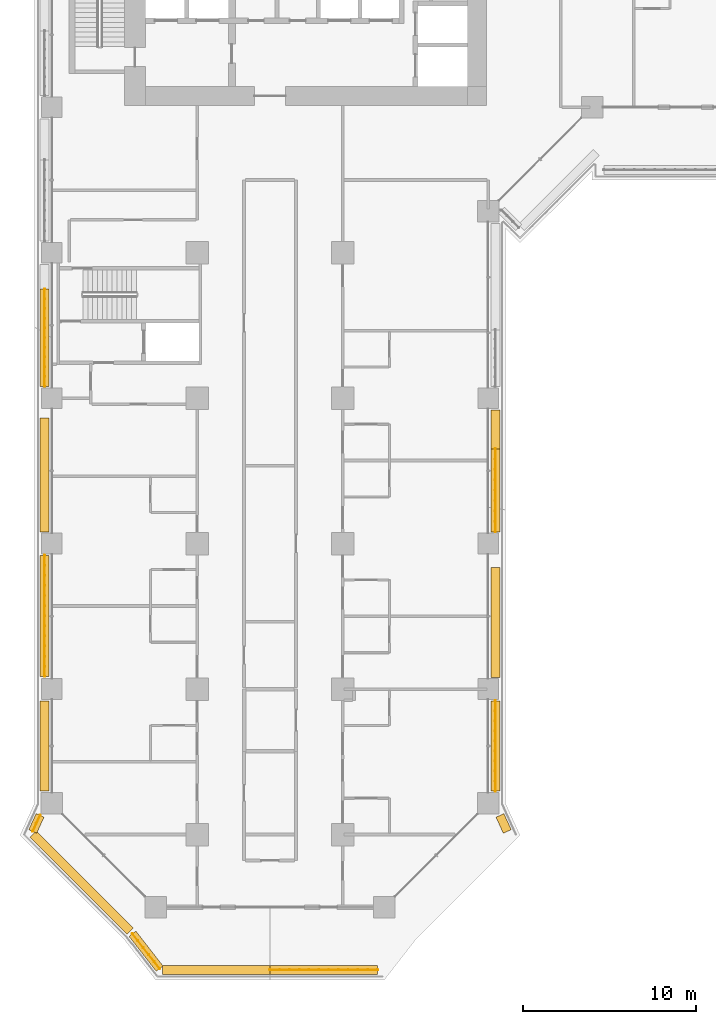
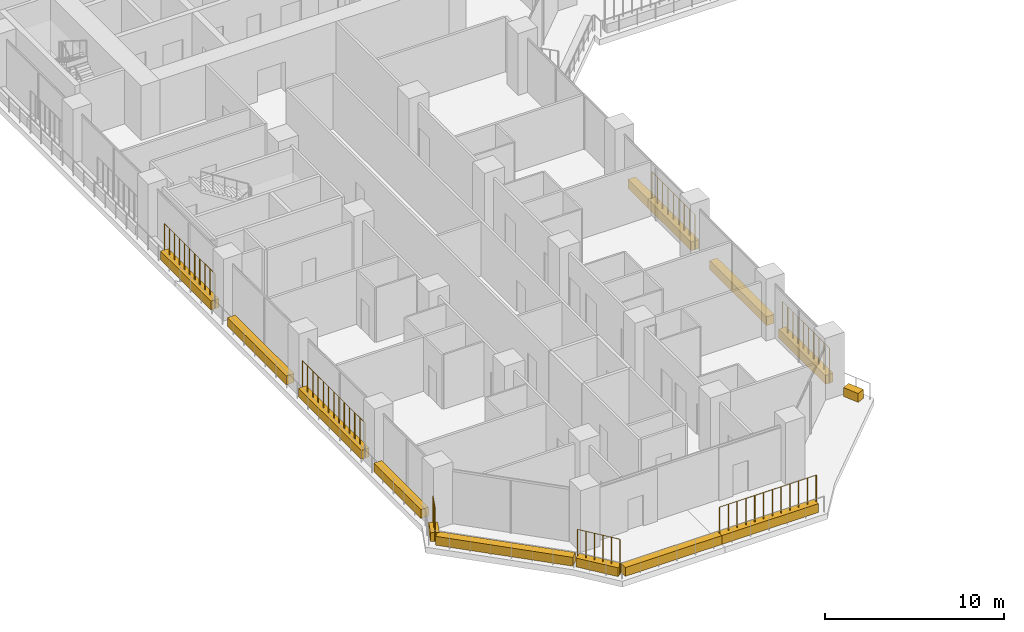
# One storey, part 21 of 28: 14 coverings, 7 railings.
"""IFC4 building model written with IfcOpenShell, lengths in metres."""

from ifc_helpers import new_model, si_unit, direction, frame, origin, origin_2d, place, context, subcontext, project, spatial, rectangle, circle, extrude, material, material_profile, profile_set, type_object, element, save


model = new_model("IFC4")

# Units and contexts
model_context = context("Model", 3, precision=1e-05, world=origin(), true_north=direction((0.0, 1.0)))
body_context = subcontext(model_context, "Body", "Model", "MODEL_VIEW")
ifc_project = project(units=[si_unit("LENGTHUNIT", "METRE"), si_unit("AREAUNIT", "SQUARE_METRE"), si_unit("VOLUMEUNIT", "CUBIC_METRE"), si_unit("PLANEANGLEUNIT", "RADIAN"), si_unit("MASSUNIT", "GRAM", prefix="KILO")], contexts=[model_context])

# Site, building, storey
site_placement = place(None, origin())
site = spatial("IfcSite", under=ifc_project, at=site_placement, CompositionType="ELEMENT")
building_placement = place(site_placement, origin())
building = spatial("IfcBuilding", under=site, at=building_placement, Name="Kawkab Arch Medical Tower", CompositionType="ELEMENT")
storey_placement = place(building_placement, frame((0.0, 0.0, 89.60009765625)))
storey = spatial("IfcBuildingStorey", under=building, at=storey_placement, Name="L20", CompositionType="ELEMENT", Elevation=89.60009765625)

# Coverings
ifc_material_1 = material(Name="Planting soil in a precast trough", Category="concrete")
ifc_material_profile = material_profile(ifc_material_1, rectangle(XDim=0.5, YDim=0.60009765625, at=origin_2d()), Name="Trough 500x600")
ifc_profile_set = profile_set([ifc_material_profile], Name="Planting soil in a precast trough")
covering_type = type_object("IfcCoveringType", Name="Planter trough 500 x 600", PredefinedType="USERDEFINED", material=ifc_profile_set)
covering_1_placement = place(storey_placement, frame((18.81591796875, -75.02001953125, 0.2998046875), z_axis=(-1.0, 0.0, 0.0), x_axis=(0.0, -1.0, 0.0)))
element("IfcCovering", 1, at=covering_1_placement, inside=storey, type_object=covering_type, Name="Planter L20.LOG-01-01.1", ObjectType="PLANTER", PredefinedType="USERDEFINED", context=body_context, shape_type="SweptSolid", body=[
    extrude(rectangle(XDim=0.5, YDim=0.60009765625, at=origin_2d()), origin(), (0.0, 0.0, 1.0), 6.2158203125),
])
covering_2_placement = place(storey_placement, frame((12.60009765625, -75.02001953125, 0.2998046875), z_axis=(-1.0, 0.0, 0.0), x_axis=(0.0, -1.0, 0.0)))
element("IfcCovering", 2, at=covering_2_placement, inside=storey, type_object=covering_type, Name="Planter L20.LOG-01-01.2", ObjectType="PLANTER", PredefinedType="USERDEFINED", context=body_context, shape_type="SweptSolid", body=[
    extrude(rectangle(XDim=0.5, YDim=0.60009765625, at=origin_2d()), origin(), (0.0, 0.0, 1.0), 6.216064453125),
])
covering_3_placement = place(storey_placement, frame((6.221923828125, -74.94091796875, 0.2998046875), z_axis=(-0.61404021143, 0.789274742246, 0.0), x_axis=(-0.789274742246, -0.61404021143, 0.0)))
element("IfcCovering", 3, at=covering_3_placement, inside=storey, type_object=covering_type, Name="Planter L20.LOG-01-01.3", ObjectType="PLANTER", PredefinedType="USERDEFINED", context=body_context, shape_type="SweptSolid", body=[
    extrude(rectangle(XDim=0.5, YDim=0.60009765625, at=origin_2d()), origin(), (0.0, 0.0, 1.0), 2.54541015625),
])
covering_4_placement = place(storey_placement, frame((4.527099609375, -72.782958984375, 0.2998046875), z_axis=(-0.70712219479, 0.707091367247, 0.0), x_axis=(-0.707091367247, -0.70712219479, 0.0)))
element("IfcCovering", 4, at=covering_4_placement, inside=storey, type_object=covering_type, Name="Planter L20.LOG-01-01.4", ObjectType="PLANTER", PredefinedType="USERDEFINED", context=body_context, shape_type="SweptSolid", body=[
    extrude(rectangle(XDim=0.5, YDim=0.60009765625, at=origin_2d()), origin(), (0.0, 0.0, 1.0), 7.919677734375),
])
covering_5_placement = place(storey_placement, frame((-1.10205078125, -67.02099609375, 0.2998046875), z_axis=(0.415071571878, 0.909788761317, 0.0), x_axis=(-0.909788761317, 0.415071571878, 0.0)))
element("IfcCovering", 5, at=covering_5_placement, inside=storey, type_object=covering_type, Name="Planter L20.LOG-01-01.5", ObjectType="PLANTER", PredefinedType="USERDEFINED", context=body_context, shape_type="SweptSolid", body=[
    extrude(rectangle(XDim=0.5, YDim=0.60009765625, at=origin_2d()), origin(), (0.0, 0.0, 1.0), 1.0146484375),
])
covering_6_placement = place(storey_placement, frame((-0.419921875, -64.695068359375, 0.2998046875), z_axis=(0.0, 1.0, 0.0), x_axis=(-1.0, 0.0, 0.0)))
element("IfcCovering", 6, at=covering_6_placement, inside=storey, type_object=covering_type, Name="Planter L20.LOG-01-01.6", ObjectType="PLANTER", PredefinedType="USERDEFINED", context=body_context, shape_type="SweptSolid", body=[
    extrude(rectangle(XDim=0.5, YDim=0.60009765625, at=origin_2d()), origin(), (0.0, 0.0, 1.0), 5.215087890625),
])
covering_7_placement = place(storey_placement, frame((-0.419921875, -58.069091796875, 0.2998046875), z_axis=(0.0, 1.0, 0.0), x_axis=(-1.0, 0.0, 0.0)))
element("IfcCovering", 7, at=covering_7_placement, inside=storey, type_object=covering_type, Name="Planter L20.LOG-01-01.7", ObjectType="PLANTER", PredefinedType="USERDEFINED", context=body_context, shape_type="SweptSolid", body=[
    extrude(rectangle(XDim=0.5, YDim=0.60009765625, at=origin_2d()), origin(), (0.0, 0.0, 1.0), 6.989013671875),
])
covering_8_placement = place(storey_placement, frame((-0.419921875, -49.719970703125, 0.2998046875), z_axis=(0.0, 1.0, 0.0), x_axis=(-1.0, 0.0, 0.0)))
element("IfcCovering", 8, at=covering_8_placement, inside=storey, type_object=covering_type, Name="Planter L20.LOG-01-01.8", ObjectType="PLANTER", PredefinedType="USERDEFINED", context=body_context, shape_type="SweptSolid", body=[
    extrude(rectangle(XDim=0.5, YDim=0.60009765625, at=origin_2d()), origin(), (0.0, 0.0, 1.0), 6.56396484375),
])
covering_9_placement = place(storey_placement, frame((-0.419921875, -41.320068359375, 0.2998046875), z_axis=(0.0, 1.0, 0.0), x_axis=(-1.0, 0.0, 0.0)))
element("IfcCovering", 9, at=covering_9_placement, inside=storey, type_object=covering_type, Name="Planter L20.LOG-01-01.9", ObjectType="PLANTER", PredefinedType="USERDEFINED", context=body_context, shape_type="SweptSolid", body=[
    extrude(rectangle(XDim=0.5, YDim=0.60009765625, at=origin_2d()), origin(), (0.0, 0.0, 1.0), 5.6201171875),
])
covering_10_placement = place(storey_placement, frame((25.6201171875, -42.679931640625, 0.2998046875), z_axis=(0.0, -1.0, 0.0), x_axis=(1.0, 0.0, 0.0)))
element("IfcCovering", 10, at=covering_10_placement, inside=storey, type_object=covering_type, Name="Planter L20.LOG-01-01.46", ObjectType="PLANTER", PredefinedType="USERDEFINED", context=body_context, shape_type="SweptSolid", body=[
    extrude(rectangle(XDim=0.5, YDim=0.60009765625, at=origin_2d()), origin(), (0.0, 0.0, 1.0), 2.240966796875),
])
covering_11_placement = place(storey_placement, frame((25.6201171875, -44.9208984375, 0.2998046875), z_axis=(0.0, -1.0, 0.0), x_axis=(1.0, 0.0, 0.0)))
element("IfcCovering", 11, at=covering_11_placement, inside=storey, type_object=covering_type, Name="Planter L20.LOG-01-01.47", ObjectType="PLANTER", PredefinedType="USERDEFINED", context=body_context, shape_type="SweptSolid", body=[
    extrude(rectangle(XDim=0.5, YDim=0.60009765625, at=origin_2d()), origin(), (0.0, 0.0, 1.0), 4.799072265625),
])
covering_12_placement = place(storey_placement, frame((25.6201171875, -51.7890625, 0.2998046875), z_axis=(0.0, -1.0, 0.0), x_axis=(1.0, 0.0, 0.0)))
element("IfcCovering", 12, at=covering_12_placement, inside=storey, type_object=covering_type, Name="Planter L20.LOG-01-01.48", ObjectType="PLANTER", PredefinedType="USERDEFINED", context=body_context, shape_type="SweptSolid", body=[
    extrude(rectangle(XDim=0.5, YDim=0.60009765625, at=origin_2d()), origin(), (0.0, 0.0, 1.0), 6.3310546875),
])
covering_13_placement = place(storey_placement, frame((25.6201171875, -59.47998046875, 0.2998046875), z_axis=(0.0, -1.0, 0.0), x_axis=(1.0, 0.0, 0.0)))
element("IfcCovering", 13, at=covering_13_placement, inside=storey, type_object=covering_type, Name="Planter L20.LOG-01-01.49", ObjectType="PLANTER", PredefinedType="USERDEFINED", context=body_context, shape_type="SweptSolid", body=[
    extrude(rectangle(XDim=0.5, YDim=0.60009765625, at=origin_2d()), origin(), (0.0, 0.0, 1.0), 5.215087890625),
])
covering_14_placement = place(storey_placement, frame((25.881103515625, -66.097900390625, 0.2998046875), z_axis=(0.414872376122, -0.909879613757, 0.0), x_axis=(0.909879613757, 0.414872376122, 0.0)))
element("IfcCovering", 14, at=covering_14_placement, inside=storey, type_object=covering_type, Name="Planter L20.LOG-01-01.50", ObjectType="PLANTER", PredefinedType="USERDEFINED", context=body_context, shape_type="SweptSolid", body=[
    extrude(rectangle(XDim=0.5, YDim=0.60009765625, at=origin_2d()), origin(), (0.0, 0.0, 1.0), 1.014404296875),
])

# Railings
ifc_material_2 = material(Name="Bronze anodised aluminium trellis for climbing plants", Category="aluminium")
railing_type = type_object("IfcRailingType", Name="Planting trellis 2400", PredefinedType="USERDEFINED", material=ifc_material_2)
railing_1_placement = place(storey_placement, frame((18.81591796875, -75.02001953125, 0.0)))
element("IfcRailing", 15, at=railing_1_placement, inside=storey, type_object=railing_type, Name="Planting trellis L20.LOG-01-01.1", ObjectType="TRELLIS", PredefinedType="USERDEFINED", context=body_context, shape_type="SweptSolid", body=[
    extrude(circle(Radius=0.01513671875, at=origin_2d()), frame((0.0, 0.0, 2.384765625), z_axis=(-1.0, 0.0, 0.0), x_axis=(0.0, -1.0, 0.0)), (0.0, 0.0, 1.0), 6.2158203125),
    extrude(circle(Radius=0.030029296875, at=origin_2d()), origin(), (0.0, 0.0, 1.0), 2.369873046875),
    extrude(circle(Radius=0.030029296875, at=origin_2d()), frame((-0.565185546875, 0.0, 0.0)), (0.0, 0.0, 1.0), 2.369873046875),
    extrude(circle(Radius=0.030029296875, at=origin_2d()), frame((-1.130126953125, 0.0, 0.0)), (0.0, 0.0, 1.0), 2.369873046875),
    extrude(circle(Radius=0.030029296875, at=origin_2d()), frame((-1.6953125, 0.0, 0.0)), (0.0, 0.0, 1.0), 2.369873046875),
    extrude(circle(Radius=0.030029296875, at=origin_2d()), frame((-2.26025390625, 0.0, 0.0)), (0.0, 0.0, 1.0), 2.369873046875),
    extrude(circle(Radius=0.030029296875, at=origin_2d()), frame((-2.825439453125, 0.0, 0.0)), (0.0, 0.0, 1.0), 2.369873046875),
    extrude(circle(Radius=0.030029296875, at=origin_2d()), frame((-3.390380859375, 0.0, 0.0)), (0.0, 0.0, 1.0), 2.369873046875),
    extrude(circle(Radius=0.030029296875, at=origin_2d()), frame((-3.95556640625, 0.0, 0.0)), (0.0, 0.0, 1.0), 2.369873046875),
    extrude(circle(Radius=0.030029296875, at=origin_2d()), frame((-4.5205078125, 0.0, 0.0)), (0.0, 0.0, 1.0), 2.369873046875),
    extrude(circle(Radius=0.030029296875, at=origin_2d()), frame((-5.085693359375, 0.0, 0.0)), (0.0, 0.0, 1.0), 2.369873046875),
    extrude(circle(Radius=0.030029296875, at=origin_2d()), frame((-5.650634765625, 0.0, 0.0)), (0.0, 0.0, 1.0), 2.369873046875),
    extrude(circle(Radius=0.030029296875, at=origin_2d()), frame((-6.2158203125, 0.0, 0.0)), (0.0, 0.0, 1.0), 2.369873046875),
])
railing_2_placement = place(storey_placement, frame((6.221923828125, -74.94091796875, 0.0)))
element("IfcRailing", 16, at=railing_2_placement, inside=storey, type_object=railing_type, Name="Planting trellis L20.LOG-01-01.3", ObjectType="TRELLIS", PredefinedType="USERDEFINED", context=body_context, shape_type="SweptSolid", body=[
    extrude(circle(Radius=0.01513671875, at=origin_2d()), frame((0.0, 0.0, 2.384765625), z_axis=(-0.61404021143, 0.789274742246, 0.0), x_axis=(-0.789274742246, -0.61404021143, 0.0)), (0.0, 0.0, 1.0), 2.54541015625),
    extrude(circle(Radius=0.030029296875, at=origin_2d()), origin(), (0.0, 0.0, 1.0), 2.369873046875),
    extrude(circle(Radius=0.030029296875, at=origin_2d()), frame((-0.3125, 0.40185546875, 0.0)), (0.0, 0.0, 1.0), 2.369873046875),
    extrude(circle(Radius=0.030029296875, at=origin_2d()), frame((-0.625244140625, 0.8037109375, 0.0)), (0.0, 0.0, 1.0), 2.369873046875),
    extrude(circle(Radius=0.030029296875, at=origin_2d()), frame((-0.937744140625, 1.205322265625, 0.0)), (0.0, 0.0, 1.0), 2.369873046875),
    extrude(circle(Radius=0.030029296875, at=origin_2d()), frame((-1.25048828125, 1.607177734375, 0.0)), (0.0, 0.0, 1.0), 2.369873046875),
    extrude(circle(Radius=0.030029296875, at=origin_2d()), frame((-1.56298828125, 2.009033203125, 0.0)), (0.0, 0.0, 1.0), 2.369873046875),
])
railing_3_placement = place(storey_placement, frame((-1.10205078125, -67.02099609375, 0.0)))
element("IfcRailing", 17, at=railing_3_placement, inside=storey, type_object=railing_type, Name="Planting trellis L20.LOG-01-01.5", ObjectType="TRELLIS", PredefinedType="USERDEFINED", context=body_context, shape_type="SweptSolid", body=[
    extrude(circle(Radius=0.01513671875, at=origin_2d()), frame((0.0, 0.0, 2.384765625), z_axis=(0.415071571878, 0.909788761317, 0.0), x_axis=(-0.909788761317, 0.415071571878, 0.0)), (0.0, 0.0, 1.0), 1.0146484375),
    extrude(circle(Radius=0.030029296875, at=origin_2d()), origin(), (0.0, 0.0, 1.0), 2.369873046875),
    extrude(circle(Radius=0.030029296875, at=origin_2d()), frame((0.21044921875, 0.46142578125, 0.0)), (0.0, 0.0, 1.0), 2.369873046875),
    extrude(circle(Radius=0.030029296875, at=origin_2d()), frame((0.421142578125, 0.923095703125, 0.0)), (0.0, 0.0, 1.0), 2.369873046875),
])
railing_4_placement = place(storey_placement, frame((-0.419921875, -58.069091796875, 0.0)))
element("IfcRailing", 18, at=railing_4_placement, inside=storey, type_object=railing_type, Name="Planting trellis L20.LOG-01-01.7", ObjectType="TRELLIS", PredefinedType="USERDEFINED", context=body_context, shape_type="SweptSolid", body=[
    extrude(circle(Radius=0.01513671875, at=origin_2d()), frame((0.0, 0.0, 2.384765625), z_axis=(0.0, 1.0, 0.0), x_axis=(-1.0, 0.0, 0.0)), (0.0, 0.0, 1.0), 6.989013671875),
    extrude(circle(Radius=0.030029296875, at=origin_2d()), origin(), (0.0, 0.0, 1.0), 2.369873046875),
    extrude(circle(Radius=0.030029296875, at=origin_2d()), frame((0.0, 0.58251953125, 0.0)), (0.0, 0.0, 1.0), 2.369873046875),
    extrude(circle(Radius=0.030029296875, at=origin_2d()), frame((0.0, 1.164794921875, 0.0)), (0.0, 0.0, 1.0), 2.369873046875),
    extrude(circle(Radius=0.030029296875, at=origin_2d()), frame((0.0, 1.747314453125, 0.0)), (0.0, 0.0, 1.0), 2.369873046875),
    extrude(circle(Radius=0.030029296875, at=origin_2d()), frame((0.0, 2.32958984375, 0.0)), (0.0, 0.0, 1.0), 2.369873046875),
    extrude(circle(Radius=0.030029296875, at=origin_2d()), frame((0.0, 2.912109375, 0.0)), (0.0, 0.0, 1.0), 2.369873046875),
    extrude(circle(Radius=0.030029296875, at=origin_2d()), frame((0.0, 3.49462890625, 0.0)), (0.0, 0.0, 1.0), 2.369873046875),
    extrude(circle(Radius=0.030029296875, at=origin_2d()), frame((0.0, 4.076904296875, 0.0)), (0.0, 0.0, 1.0), 2.369873046875),
    extrude(circle(Radius=0.030029296875, at=origin_2d()), frame((0.0, 4.659423828125, 0.0)), (0.0, 0.0, 1.0), 2.369873046875),
    extrude(circle(Radius=0.030029296875, at=origin_2d()), frame((0.0, 5.24169921875, 0.0)), (0.0, 0.0, 1.0), 2.369873046875),
    extrude(circle(Radius=0.030029296875, at=origin_2d()), frame((0.0, 5.82421875, 0.0)), (0.0, 0.0, 1.0), 2.369873046875),
    extrude(circle(Radius=0.030029296875, at=origin_2d()), frame((0.0, 6.406494140625, 0.0)), (0.0, 0.0, 1.0), 2.369873046875),
    extrude(circle(Radius=0.030029296875, at=origin_2d()), frame((0.0, 6.989013671875, 0.0)), (0.0, 0.0, 1.0), 2.369873046875),
])
railing_5_placement = place(storey_placement, frame((-0.419921875, -41.320068359375, 0.0)))
element("IfcRailing", 19, at=railing_5_placement, inside=storey, type_object=railing_type, Name="Planting trellis L20.LOG-01-01.9", ObjectType="TRELLIS", PredefinedType="USERDEFINED", context=body_context, shape_type="SweptSolid", body=[
    extrude(circle(Radius=0.01513671875, at=origin_2d()), frame((0.0, 0.0, 2.384765625), z_axis=(0.0, 1.0, 0.0), x_axis=(-1.0, 0.0, 0.0)), (0.0, 0.0, 1.0), 5.6201171875),
    extrude(circle(Radius=0.030029296875, at=origin_2d()), origin(), (0.0, 0.0, 1.0), 2.369873046875),
    extrude(circle(Radius=0.030029296875, at=origin_2d()), frame((0.0, 0.56201171875, 0.0)), (0.0, 0.0, 1.0), 2.369873046875),
    extrude(circle(Radius=0.030029296875, at=origin_2d()), frame((0.0, 1.1240234375, 0.0)), (0.0, 0.0, 1.0), 2.369873046875),
    extrude(circle(Radius=0.030029296875, at=origin_2d()), frame((0.0, 1.68603515625, 0.0)), (0.0, 0.0, 1.0), 2.369873046875),
    extrude(circle(Radius=0.030029296875, at=origin_2d()), frame((0.0, 2.248046875, 0.0)), (0.0, 0.0, 1.0), 2.369873046875),
    extrude(circle(Radius=0.030029296875, at=origin_2d()), frame((0.0, 2.81005859375, 0.0)), (0.0, 0.0, 1.0), 2.369873046875),
    extrude(circle(Radius=0.030029296875, at=origin_2d()), frame((0.0, 3.3720703125, 0.0)), (0.0, 0.0, 1.0), 2.369873046875),
    extrude(circle(Radius=0.030029296875, at=origin_2d()), frame((0.0, 3.93408203125, 0.0)), (0.0, 0.0, 1.0), 2.369873046875),
    extrude(circle(Radius=0.030029296875, at=origin_2d()), frame((0.0, 4.49609375, 0.0)), (0.0, 0.0, 1.0), 2.369873046875),
    extrude(circle(Radius=0.030029296875, at=origin_2d()), frame((0.0, 5.05810546875, 0.0)), (0.0, 0.0, 1.0), 2.369873046875),
    extrude(circle(Radius=0.030029296875, at=origin_2d()), frame((0.0, 5.6201171875, 0.0)), (0.0, 0.0, 1.0), 2.369873046875),
])
railing_6_placement = place(storey_placement, frame((25.6201171875, -44.9208984375, 0.0)))
element("IfcRailing", 20, at=railing_6_placement, inside=storey, type_object=railing_type, Name="Planting trellis L20.LOG-01-01.47", ObjectType="TRELLIS", PredefinedType="USERDEFINED", context=body_context, shape_type="SweptSolid", body=[
    extrude(circle(Radius=0.01513671875, at=origin_2d()), frame((0.0, 0.0, 2.384765625), z_axis=(0.0, -1.0, 0.0), x_axis=(1.0, 0.0, 0.0)), (0.0, 0.0, 1.0), 4.799072265625),
    extrude(circle(Radius=0.030029296875, at=origin_2d()), origin(), (0.0, 0.0, 1.0), 2.369873046875),
    extrude(circle(Radius=0.030029296875, at=origin_2d()), frame((0.0, -0.599853515625, 0.0)), (0.0, 0.0, 1.0), 2.369873046875),
    extrude(circle(Radius=0.030029296875, at=origin_2d()), frame((0.0, -1.19970703125, 0.0)), (0.0, 0.0, 1.0), 2.369873046875),
    extrude(circle(Radius=0.030029296875, at=origin_2d()), frame((0.0, -1.799560546875, 0.0)), (0.0, 0.0, 1.0), 2.369873046875),
    extrude(circle(Radius=0.030029296875, at=origin_2d()), frame((0.0, -2.3994140625, 0.0)), (0.0, 0.0, 1.0), 2.369873046875),
    extrude(circle(Radius=0.030029296875, at=origin_2d()), frame((0.0, -2.99951171875, 0.0)), (0.0, 0.0, 1.0), 2.369873046875),
    extrude(circle(Radius=0.030029296875, at=origin_2d()), frame((0.0, -3.599365234375, 0.0)), (0.0, 0.0, 1.0), 2.369873046875),
    extrude(circle(Radius=0.030029296875, at=origin_2d()), frame((0.0, -4.19921875, 0.0)), (0.0, 0.0, 1.0), 2.369873046875),
    extrude(circle(Radius=0.030029296875, at=origin_2d()), frame((0.0, -4.799072265625, 0.0)), (0.0, 0.0, 1.0), 2.369873046875),
])
railing_7_placement = place(storey_placement, frame((25.6201171875, -59.47998046875, 0.0)))
element("IfcRailing", 21, at=railing_7_placement, inside=storey, type_object=railing_type, Name="Planting trellis L20.LOG-01-01.49", ObjectType="TRELLIS", PredefinedType="USERDEFINED", context=body_context, shape_type="SweptSolid", body=[
    extrude(circle(Radius=0.01513671875, at=origin_2d()), frame((0.0, 0.0, 2.384765625), z_axis=(0.0, -1.0, 0.0), x_axis=(1.0, 0.0, 0.0)), (0.0, 0.0, 1.0), 5.215087890625),
    extrude(circle(Radius=0.030029296875, at=origin_2d()), origin(), (0.0, 0.0, 1.0), 2.369873046875),
    extrude(circle(Radius=0.030029296875, at=origin_2d()), frame((0.0, -0.579345703125, 0.0)), (0.0, 0.0, 1.0), 2.369873046875),
    extrude(circle(Radius=0.030029296875, at=origin_2d()), frame((0.0, -1.158935546875, 0.0)), (0.0, 0.0, 1.0), 2.369873046875),
    extrude(circle(Radius=0.030029296875, at=origin_2d()), frame((0.0, -1.73828125, 0.0)), (0.0, 0.0, 1.0), 2.369873046875),
    extrude(circle(Radius=0.030029296875, at=origin_2d()), frame((0.0, -2.31787109375, 0.0)), (0.0, 0.0, 1.0), 2.369873046875),
    extrude(circle(Radius=0.030029296875, at=origin_2d()), frame((0.0, -2.897216796875, 0.0)), (0.0, 0.0, 1.0), 2.369873046875),
    extrude(circle(Radius=0.030029296875, at=origin_2d()), frame((0.0, -3.476806640625, 0.0)), (0.0, 0.0, 1.0), 2.369873046875),
    extrude(circle(Radius=0.030029296875, at=origin_2d()), frame((0.0, -4.05615234375, 0.0)), (0.0, 0.0, 1.0), 2.369873046875),
    extrude(circle(Radius=0.030029296875, at=origin_2d()), frame((0.0, -4.6357421875, 0.0)), (0.0, 0.0, 1.0), 2.369873046875),
    extrude(circle(Radius=0.030029296875, at=origin_2d()), frame((0.0, -5.215087890625, 0.0)), (0.0, 0.0, 1.0), 2.369873046875),
])

save(model, "model.ifc")
